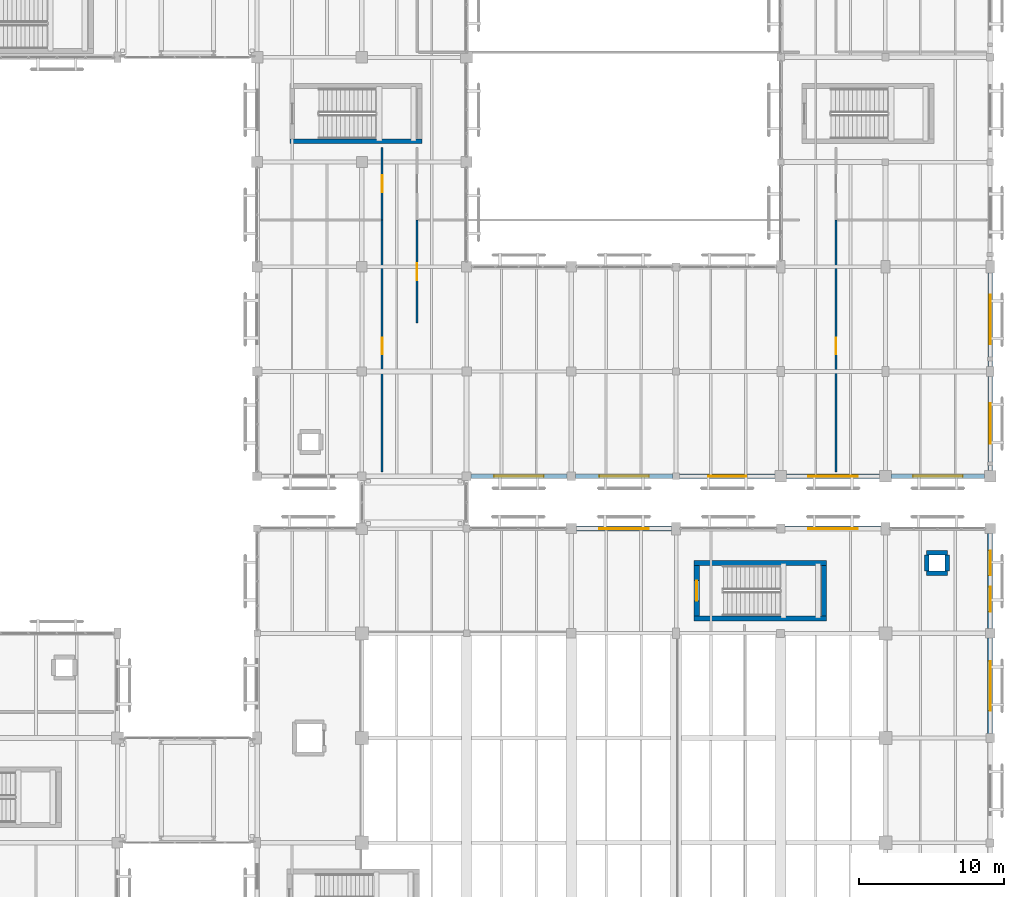
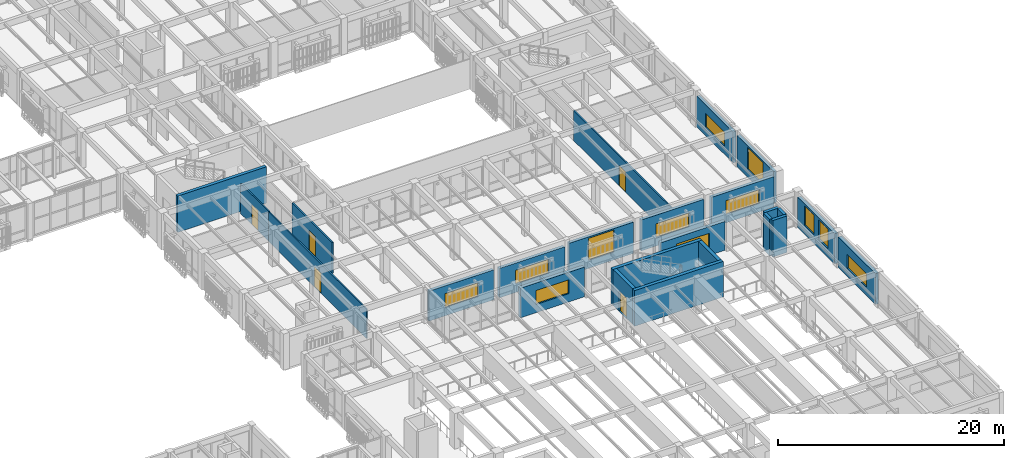
# One storey, part 138 of 170: 24 walls, 12 windows, 5 doors, 17 openings.
"""IFC4 building model written with IfcOpenShell, lengths in metres."""

from ifc_helpers import new_model, si_unit, direction, frame, frame_2d, origin, place, context, subcontext, project, spatial, rectangle, extrude, material, layer, layer_set, type_object, element, fill, save


model = new_model("IFC4")

# Units and contexts
model_context = context("Model", 3, precision=1e-05, world=origin(), true_north=direction((0.0, 1.0)))
body_context = subcontext(model_context, "Body", "Model", "MODEL_VIEW")
ifc_project = project(units=[si_unit("LENGTHUNIT", "METRE"), si_unit("AREAUNIT", "SQUARE_METRE"), si_unit("VOLUMEUNIT", "CUBIC_METRE"), si_unit("PLANEANGLEUNIT", "RADIAN"), si_unit("MASSUNIT", "GRAM", prefix="KILO")], contexts=[model_context])

# Site, building, storey
site_placement = place(None, origin())
site = spatial("IfcSite", under=ifc_project, at=site_placement, CompositionType="ELEMENT")
building_placement = place(site_placement, origin())
building = spatial("IfcBuilding", under=site, at=building_placement, Name="Mazaris Harbour Polytechnic", CompositionType="ELEMENT")
storey_placement = place(building_placement, frame((0.0, 0.0, 5.39990234375)))
storey = spatial("IfcBuildingStorey", under=building, at=storey_placement, Name="L01", CompositionType="ELEMENT", Elevation=5.39990234375)

# Wall, opening, window
ifc_material_1 = material(Name="Algerian Buff Limestone and Mineral Wool", Category="masonry")
ifc_layer_1 = layer(ifc_material_1, 0.31005859375, Name="Algerian Buff Limestone and Mineral Wool")
ifc_layer_set_1 = layer_set([ifc_layer_1], Name="Algerian Buff Limestone and Mineral Wool")
wall_type_1 = type_object("IfcWallType", Name="Limestone Studio Wall 310", PredefinedType="STANDARD", material=ifc_layer_set_1)
wall_1_placement = place(storey_placement, frame((143.7080078125, 46.800048828125, 0.0), z_axis=(0.0, 0.0, 1.0), x_axis=(-1.0, 0.0, 0.0)))
wall_1 = element("IfcWall", 1, at=wall_1_placement, inside=storey, type_object=wall_type_1, Name="V5 L01 Exterior Wall 312", PredefinedType="STANDARD", context=body_context, shape_type="SweptSolid", body=[
    extrude(rectangle(XDim=6.615966796875, YDim=0.31005859375, at=frame_2d((3.30810546875, 0.0))), origin(), (0.0, 0.0, 1.0), 3.239990234375),
])
opening_1_placement = place(wall_1_placement, frame((1.60791015625, 0.0, 0.89990234375)))
opening_1 = element("IfcOpeningElement", 2, at=opening_1_placement, cuts=wall_1, Name="Opening WN-16", PredefinedType="OPENING", context=body_context, shape_type="SweptSolid", body=[
    extrude(rectangle(XDim=3.39990234375, YDim=1.5, at=frame_2d((1.699951171875, 0.75))), frame((0.0, 0.1650390625, 0.0), z_axis=(0.0, -1.0, 0.0), x_axis=(1.0, 0.0, 0.0)), (0.0, 0.0, 1.0), 0.330078125),
])
ifc_material_2 = material(Name="Thermally Broken Bronze Aluminium and Low-E Glass", Category="aluminium")
window_type_1 = type_object("IfcWindowType", Name="Workshop Clerestory Ribbon 3400x1500", PartitioningType="DOUBLE_PANEL_VERTICAL", PredefinedType="WINDOW", material=ifc_material_2)
window_1_placement = place(opening_1_placement, origin())
window_1 = element("IfcWindow", 3, at=window_1_placement, inside=storey, type_object=window_type_1, Name="WN-0365", OverallHeight=1.5, OverallWidth=3.39990234375, PartitioningType="DOUBLE_PANEL_VERTICAL", PredefinedType="WINDOW", context=body_context, shape_type="SweptSolid", body=[
    extrude(rectangle(XDim=3.39990234375, YDim=1.5, at=frame_2d((1.699951171875, 0.75))), frame((0.0, 0.030029296875, 0.0), z_axis=(0.0, -1.0, 0.0), x_axis=(1.0, 0.0, 0.0)), (0.0, 0.0, 1.0), 0.06005859375),
])
fill(opening_1, window_1)

wall_2_placement = place(storey_placement, frame((150.98291015625, 46.800048828125, 0.0), z_axis=(0.0, 0.0, 1.0), x_axis=(-1.0, 0.0, 0.0)))
wall_2 = element("IfcWall", 4, at=wall_2_placement, inside=storey, type_object=wall_type_1, Name="V5 L01 Exterior Wall 313", PredefinedType="STANDARD", context=body_context, shape_type="SweptSolid", body=[
    extrude(rectangle(XDim=6.69091796875, YDim=0.31005859375, at=frame_2d((3.345458984375, 0.0))), origin(), (0.0, 0.0, 1.0), 3.18017578125),
])
opening_2_placement = place(wall_2_placement, frame((1.6455078125, 0.0, 0.89990234375)))
opening_2 = element("IfcOpeningElement", 5, at=opening_2_placement, cuts=wall_2, Name="Opening WN-16", PredefinedType="OPENING", context=body_context, shape_type="SweptSolid", body=[
    extrude(rectangle(XDim=3.39990234375, YDim=1.5, at=frame_2d((1.699951171875, 0.75))), frame((0.0, 0.1650390625, 0.0), z_axis=(0.0, -1.0, 0.0), x_axis=(1.0, 0.0, 0.0)), (0.0, 0.0, 1.0), 0.330078125),
])
window_2_placement = place(opening_2_placement, origin())
window_2 = element("IfcWindow", 6, at=window_2_placement, inside=storey, type_object=window_type_1, Name="WN-0366", OverallHeight=1.5, OverallWidth=3.39990234375, PartitioningType="DOUBLE_PANEL_VERTICAL", PredefinedType="WINDOW", context=body_context, shape_type="SweptSolid", body=[
    extrude(rectangle(XDim=3.39990234375, YDim=1.5, at=frame_2d((1.699951171875, 0.75))), frame((0.0, 0.030029296875, 0.0), z_axis=(0.0, -1.0, 0.0), x_axis=(1.0, 0.0, 0.0)), (0.0, 0.0, 1.0), 0.06005859375),
])
fill(opening_2, window_2)

wall_3_placement = place(storey_placement, frame((158.008056640625, 46.800048828125, 0.0), z_axis=(0.0, 0.0, 1.0), x_axis=(-1.0, 0.0, 0.0)))
wall_3 = element("IfcWall", 7, at=wall_3_placement, inside=storey, type_object=wall_type_1, Name="V5 L01 Exterior Wall 314", PredefinedType="STANDARD", context=body_context, shape_type="SweptSolid", body=[
    extrude(rectangle(XDim=6.591064453125, YDim=0.31005859375, at=frame_2d((3.29541015625, 0.0))), origin(), (0.0, 0.0, 1.0), 3.400146484375),
])
opening_3_placement = place(wall_3_placement, frame((1.99560546875, 0.0, 0.85009765625)))
opening_3 = element("IfcOpeningElement", 8, at=opening_3_placement, cuts=wall_3, Name="Opening WN-08", PredefinedType="OPENING", context=body_context, shape_type="SweptSolid", body=[
    extrude(rectangle(XDim=2.60009765625, YDim=2.39990234375, at=frame_2d((1.300048828125, 1.199951171875))), frame((0.0, 0.1650390625, 0.0), z_axis=(0.0, -1.0, 0.0), x_axis=(1.0, 0.0, 0.0)), (0.0, 0.0, 1.0), 0.330078125),
])
ifc_material_3 = material(Name="Thermally Broken Bronze Aluminium and Low-E Glass", Category="aluminium")
window_type_2 = type_object("IfcWindowType", Name="Studio North Window 2600x2400", PartitioningType="DOUBLE_PANEL_VERTICAL", PredefinedType="WINDOW", material=ifc_material_3)
window_3_placement = place(opening_3_placement, origin())
window_3 = element("IfcWindow", 9, at=window_3_placement, inside=storey, type_object=window_type_2, Name="WN-0367", OverallHeight=2.39990234375, OverallWidth=2.60009765625, PartitioningType="DOUBLE_PANEL_VERTICAL", PredefinedType="WINDOW", context=body_context, shape_type="SweptSolid", body=[
    extrude(rectangle(XDim=2.60009765625, YDim=2.39990234375, at=frame_2d((1.300048828125, 1.199951171875))), frame((0.0, 0.030029296875, 0.0), z_axis=(0.0, -1.0, 0.0), x_axis=(1.0, 0.0, 0.0)), (0.0, 0.0, 1.0), 0.06005859375),
])
fill(opening_3, window_3)

wall_4_placement = place(storey_placement, frame((165.2080078125, 46.800048828125, 0.0), z_axis=(0.0, 0.0, 1.0), x_axis=(-1.0, 0.0, 0.0)))
wall_4 = element("IfcWall", 10, at=wall_4_placement, inside=storey, type_object=wall_type_1, Name="V5 L01 Exterior Wall 315", PredefinedType="STANDARD", context=body_context, shape_type="SweptSolid", body=[
    extrude(rectangle(XDim=6.416015625, YDim=0.31005859375, at=frame_2d((3.2080078125, 0.0))), origin(), (0.0, 0.0, 1.0), 3.340087890625),
])
opening_4_placement = place(wall_4_placement, frame((1.508056640625, 0.0, 0.89990234375)))
opening_4 = element("IfcOpeningElement", 11, at=opening_4_placement, cuts=wall_4, Name="Opening WN-16", PredefinedType="OPENING", context=body_context, shape_type="SweptSolid", body=[
    extrude(rectangle(XDim=3.39990234375, YDim=1.5, at=frame_2d((1.699951171875, 0.75))), frame((0.0, 0.1650390625, 0.0), z_axis=(0.0, -1.0, 0.0), x_axis=(1.0, 0.0, 0.0)), (0.0, 0.0, 1.0), 0.330078125),
])
window_4_placement = place(opening_4_placement, origin())
window_4 = element("IfcWindow", 12, at=window_4_placement, inside=storey, type_object=window_type_1, Name="WN-0368", OverallHeight=1.5, OverallWidth=3.39990234375, PartitioningType="DOUBLE_PANEL_VERTICAL", PredefinedType="WINDOW", context=body_context, shape_type="SweptSolid", body=[
    extrude(rectangle(XDim=3.39990234375, YDim=1.5, at=frame_2d((1.699951171875, 0.75))), frame((0.0, 0.030029296875, 0.0), z_axis=(0.0, -1.0, 0.0), x_axis=(1.0, 0.0, 0.0)), (0.0, 0.0, 1.0), 0.06005859375),
])
fill(opening_4, window_4)

wall_5_placement = place(storey_placement, frame((172.407958984375, 46.800048828125, 0.0), z_axis=(0.0, 0.0, 1.0), x_axis=(-1.0, 0.0, 0.0)))
wall_5 = element("IfcWall", 13, at=wall_5_placement, inside=storey, type_object=wall_type_1, Name="V5 L01 Exterior Wall 316", PredefinedType="STANDARD", context=body_context, shape_type="SweptSolid", body=[
    extrude(rectangle(XDim=6.416015625, YDim=0.31005859375, at=frame_2d((3.2080078125, 0.0))), origin(), (0.0, 0.0, 1.0), 3.280029296875),
])
opening_5_placement = place(wall_5_placement, frame((1.508056640625, 0.0, 0.89990234375)))
opening_5 = element("IfcOpeningElement", 14, at=opening_5_placement, cuts=wall_5, Name="Opening WN-16", PredefinedType="OPENING", context=body_context, shape_type="SweptSolid", body=[
    extrude(rectangle(XDim=3.39990234375, YDim=1.5, at=frame_2d((1.699951171875, 0.75))), frame((0.0, 0.1650390625, 0.0), z_axis=(0.0, -1.0, 0.0), x_axis=(1.0, 0.0, 0.0)), (0.0, 0.0, 1.0), 0.330078125),
])
window_5_placement = place(opening_5_placement, origin())
window_5 = element("IfcWindow", 15, at=window_5_placement, inside=storey, type_object=window_type_1, Name="WN-0369", OverallHeight=1.5, OverallWidth=3.39990234375, PartitioningType="DOUBLE_PANEL_VERTICAL", PredefinedType="WINDOW", context=body_context, shape_type="SweptSolid", body=[
    extrude(rectangle(XDim=3.39990234375, YDim=1.5, at=frame_2d((1.699951171875, 0.75))), frame((0.0, 0.030029296875, 0.0), z_axis=(0.0, -1.0, 0.0), x_axis=(1.0, 0.0, 0.0)), (0.0, 0.0, 1.0), 0.06005859375),
])
fill(opening_5, window_5)

wall_6_placement = place(storey_placement, frame((172.800048828125, 53.657958984375, 0.0), z_axis=(0.0, 0.0, 1.0), x_axis=(0.0, -1.0, 0.0)))
wall_6 = element("IfcWall", 16, at=wall_6_placement, inside=storey, type_object=wall_type_1, Name="V5 L01 Exterior Wall 324", PredefinedType="STANDARD", context=body_context, shape_type="SweptSolid", body=[
    extrude(rectangle(XDim=6.466064453125, YDim=0.31005859375, at=frame_2d((3.23291015625, 0.0))), origin(), (0.0, 0.0, 1.0), 3.400146484375),
])
opening_6_placement = place(wall_6_placement, frame((1.8330078125, 0.0, 0.85009765625)))
opening_6 = element("IfcOpeningElement", 17, at=opening_6_placement, cuts=wall_6, Name="Opening WN-09", PredefinedType="OPENING", context=body_context, shape_type="SweptSolid", body=[
    extrude(rectangle(XDim=2.800048828125, YDim=2.39990234375, at=frame_2d((1.39990234375, 1.199951171875))), frame((0.0, 0.1650390625, 0.0), z_axis=(0.0, -1.0, 0.0), x_axis=(1.0, 0.0, 0.0)), (0.0, 0.0, 1.0), 0.330078125),
])
ifc_material_4 = material(Name="Thermally Broken Bronze Aluminium and Low-E Glass", Category="aluminium")
window_type_3 = type_object("IfcWindowType", Name="Studio North Window 2800x2400", PartitioningType="DOUBLE_PANEL_VERTICAL", PredefinedType="WINDOW", material=ifc_material_4)
window_6_placement = place(opening_6_placement, origin())
window_6 = element("IfcWindow", 18, at=window_6_placement, inside=storey, type_object=window_type_3, Name="WN-0376", OverallHeight=2.39990234375, OverallWidth=2.800048828125, PartitioningType="DOUBLE_PANEL_VERTICAL", PredefinedType="WINDOW", context=body_context, shape_type="SweptSolid", body=[
    extrude(rectangle(XDim=2.800048828125, YDim=2.39990234375, at=frame_2d((1.39990234375, 1.199951171875))), frame((0.0, 0.030029296875, 0.0), z_axis=(0.0, -1.0, 0.0), x_axis=(1.0, 0.0, 0.0)), (0.0, 0.0, 1.0), 0.06005859375),
])
fill(opening_6, window_6)

wall_7_placement = place(storey_placement, frame((172.800048828125, 60.782958984375, 0.0), z_axis=(0.0, 0.0, 1.0), x_axis=(0.0, -1.0, 0.0)))
wall_7 = element("IfcWall", 19, at=wall_7_placement, inside=storey, type_object=wall_type_1, Name="V5 L01 Exterior Wall 325", PredefinedType="STANDARD", context=body_context, shape_type="SweptSolid", body=[
    extrude(rectangle(XDim=6.44091796875, YDim=0.31005859375, at=frame_2d((3.220458984375, 0.0))), origin(), (0.0, 0.0, 1.0), 3.340087890625),
])
opening_7_placement = place(wall_7_placement, frame((1.5205078125, 0.0, 0.89990234375)))
opening_7 = element("IfcOpeningElement", 20, at=opening_7_placement, cuts=wall_7, Name="Opening WN-16", PredefinedType="OPENING", context=body_context, shape_type="SweptSolid", body=[
    extrude(rectangle(XDim=3.39990234375, YDim=1.5, at=frame_2d((1.699951171875, 0.75))), frame((0.0, 0.1650390625, 0.0), z_axis=(0.0, -1.0, 0.0), x_axis=(1.0, 0.0, 0.0)), (0.0, 0.0, 1.0), 0.330078125),
])
window_7_placement = place(opening_7_placement, origin())
window_7 = element("IfcWindow", 21, at=window_7_placement, inside=storey, type_object=window_type_1, Name="WN-0377", OverallHeight=1.5, OverallWidth=3.39990234375, PartitioningType="DOUBLE_PANEL_VERTICAL", PredefinedType="WINDOW", context=body_context, shape_type="SweptSolid", body=[
    extrude(rectangle(XDim=3.39990234375, YDim=1.5, at=frame_2d((1.699951171875, 0.75))), frame((0.0, 0.030029296875, 0.0), z_axis=(0.0, -1.0, 0.0), x_axis=(1.0, 0.0, 0.0)), (0.0, 0.0, 1.0), 0.06005859375),
])
fill(opening_7, window_7)

ifc_material_5 = material(Name="Algerian Buff Limestone and Concrete C30/37", Category="masonry")
ifc_layer_2 = layer(ifc_material_5, 0.344970703125, Name="Algerian Buff Limestone and Concrete C30/37")
ifc_layer_set_2 = layer_set([ifc_layer_2], Name="Algerian Buff Limestone and Concrete C30/37")
wall_type_2 = type_object("IfcWallType", Name="Pavilion Gable Wall 345", PredefinedType="STANDARD", material=ifc_layer_set_2)
wall_8_placement = place(storey_placement, frame((144.342041015625, 43.199951171875, 0.0), z_axis=(0.0, 0.0, 1.0), x_axis=(1.0, 0.0, 0.0)))
wall_8 = element("IfcWall", 22, at=wall_8_placement, inside=storey, type_object=wall_type_2, Name="V2 L01 Exterior Wall 58", PredefinedType="STANDARD", context=body_context, shape_type="SweptSolid", body=[
    extrude(rectangle(XDim=6.56591796875, YDim=0.344970703125, at=frame_2d((3.282958984375, 0.0))), origin(), (0.0, 0.0, 1.0), 3.210205078125),
])
opening_8_placement = place(wall_8_placement, frame((1.5830078125, 0.0, 0.89990234375)))
opening_8 = element("IfcOpeningElement", 23, at=opening_8_placement, cuts=wall_8, Name="Opening WN-16", PredefinedType="OPENING", context=body_context, shape_type="SweptSolid", body=[
    extrude(rectangle(XDim=3.39990234375, YDim=1.5, at=frame_2d((1.699951171875, 0.75))), frame((0.0, 0.182373046875, 0.0), z_axis=(0.0, -1.0, 0.0), x_axis=(1.0, 0.0, 0.0)), (0.0, 0.0, 1.0), 0.364990234375),
])
window_8_placement = place(opening_8_placement, origin())
window_8 = element("IfcWindow", 24, at=window_8_placement, inside=storey, type_object=window_type_1, Name="WN-0048", OverallHeight=1.5, OverallWidth=3.39990234375, PartitioningType="DOUBLE_PANEL_VERTICAL", PredefinedType="WINDOW", context=body_context, shape_type="SweptSolid", body=[
    extrude(rectangle(XDim=3.39990234375, YDim=1.5, at=frame_2d((1.699951171875, 0.75))), frame((0.0, 0.030029296875, 0.0), z_axis=(0.0, -1.0, 0.0), x_axis=(1.0, 0.0, 0.0)), (0.0, 0.0, 1.0), 0.06005859375),
])
fill(opening_8, window_8)

wall_9_placement = place(storey_placement, frame((158.69189453125, 43.199951171875, 0.0), z_axis=(0.0, 0.0, 1.0), x_axis=(1.0, 0.0, 0.0)))
wall_9 = element("IfcWall", 25, at=wall_9_placement, inside=storey, type_object=wall_type_2, Name="V2 L01 Exterior Wall 59", PredefinedType="STANDARD", context=body_context, shape_type="SweptSolid", body=[
    extrude(rectangle(XDim=6.6162109375, YDim=0.344970703125, at=frame_2d((3.30810546875, 0.0))), origin(), (0.0, 0.0, 1.0), 3.110107421875),
])
opening_9_placement = place(wall_9_placement, frame((1.60791015625, 0.0, 0.89990234375)))
opening_9 = element("IfcOpeningElement", 26, at=opening_9_placement, cuts=wall_9, Name="Opening WN-16", PredefinedType="OPENING", context=body_context, shape_type="SweptSolid", body=[
    extrude(rectangle(XDim=3.39990234375, YDim=1.5, at=frame_2d((1.699951171875, 0.75))), frame((0.0, 0.182373046875, 0.0), z_axis=(0.0, -1.0, 0.0), x_axis=(1.0, 0.0, 0.0)), (0.0, 0.0, 1.0), 0.364990234375),
])
window_9_placement = place(opening_9_placement, origin())
window_9 = element("IfcWindow", 27, at=window_9_placement, inside=storey, type_object=window_type_1, Name="WN-0049", OverallHeight=1.5, OverallWidth=3.39990234375, PartitioningType="DOUBLE_PANEL_VERTICAL", PredefinedType="WINDOW", context=body_context, shape_type="SweptSolid", body=[
    extrude(rectangle(XDim=3.39990234375, YDim=1.5, at=frame_2d((1.699951171875, 0.75))), frame((0.0, 0.030029296875, 0.0), z_axis=(0.0, -1.0, 0.0), x_axis=(1.0, 0.0, 0.0)), (0.0, 0.0, 1.0), 0.06005859375),
])
fill(opening_9, window_9)

wall_10_placement = place(storey_placement, frame((172.800048828125, 35.68310546875, 0.0), z_axis=(0.0, 0.0, 1.0), x_axis=(0.0, -1.0, 0.0)))
wall_10 = element("IfcWall", 28, at=wall_10_placement, inside=storey, type_object=wall_type_2, Name="V2 L01 Exterior Wall 65", PredefinedType="STANDARD", context=body_context, shape_type="SweptSolid", body=[
    extrude(rectangle(XDim=6.591064453125, YDim=0.344970703125, at=frame_2d((3.29541015625, 0.0))), origin(), (0.0, 0.0, 1.0), 3.330078125),
])
opening_10_placement = place(wall_10_placement, frame((1.595458984375, 0.0, 0.89990234375)))
opening_10 = element("IfcOpeningElement", 29, at=opening_10_placement, cuts=wall_10, Name="Opening WN-16", PredefinedType="OPENING", context=body_context, shape_type="SweptSolid", body=[
    extrude(rectangle(XDim=3.39990234375, YDim=1.5, at=frame_2d((1.699951171875, 0.75))), frame((0.0, 0.182373046875, 0.0), z_axis=(0.0, -1.0, 0.0), x_axis=(1.0, 0.0, 0.0)), (0.0, 0.0, 1.0), 0.364990234375),
])
window_10_placement = place(opening_10_placement, origin())
window_10 = element("IfcWindow", 30, at=window_10_placement, inside=storey, type_object=window_type_1, Name="WN-0056", OverallHeight=1.5, OverallWidth=3.39990234375, PartitioningType="DOUBLE_PANEL_VERTICAL", PredefinedType="WINDOW", context=body_context, shape_type="SweptSolid", body=[
    extrude(rectangle(XDim=3.39990234375, YDim=1.5, at=frame_2d((1.699951171875, 0.75))), frame((0.0, 0.030029296875, 0.0), z_axis=(0.0, -1.0, 0.0), x_axis=(1.0, 0.0, 0.0)), (0.0, 0.0, 1.0), 0.06005859375),
])
fill(opening_10, window_10)

# Wall, openings, windows
wall_11_placement = place(storey_placement, frame((172.800048828125, 42.85791015625, 0.0), z_axis=(0.0, 0.0, 1.0), x_axis=(0.0, -1.0, 0.0)))
wall_11 = element("IfcWall", 31, at=wall_11_placement, inside=storey, type_object=wall_type_2, Name="V2 L01 Exterior Wall 66", PredefinedType="STANDARD", context=body_context, shape_type="SweptSolid", body=[
    extrude(rectangle(XDim=6.541015625, YDim=0.344970703125, at=frame_2d((3.2705078125, 0.0))), origin(), (0.0, 0.0, 1.0), 3.27001953125),
])
opening_11_placement = place(wall_11_placement, frame((1.17041015625, 0.0, 0.949951171875)))
opening_11 = element("IfcOpeningElement", 32, at=opening_11_placement, cuts=wall_11, Name="Opening WN-11", PredefinedType="OPENING", context=body_context, shape_type="SweptSolid", body=[
    extrude(rectangle(XDim=1.699951171875, YDim=2.10009765625, at=frame_2d((0.85009765625, 1.050048828125))), frame((0.0, 0.182373046875, 0.0), z_axis=(0.0, -1.0, 0.0), x_axis=(1.0, 0.0, 0.0)), (0.0, 0.0, 1.0), 0.364990234375),
])
opening_12_placement = place(wall_11_placement, frame((3.67041015625, 0.0, 0.949951171875)))
opening_12 = element("IfcOpeningElement", 33, at=opening_12_placement, cuts=wall_11, Name="Opening WN-11", PredefinedType="OPENING", context=body_context, shape_type="SweptSolid", body=[
    extrude(rectangle(XDim=1.699951171875, YDim=2.10009765625, at=frame_2d((0.85009765625, 1.050048828125))), frame((0.0, 0.182373046875, 0.0), z_axis=(0.0, -1.0, 0.0), x_axis=(1.0, 0.0, 0.0)), (0.0, 0.0, 1.0), 0.364990234375),
])
ifc_material_6 = material(Name="Thermally Broken Bronze Aluminium and Low-E Glass", Category="aluminium")
window_type_4 = type_object("IfcWindowType", Name="Seminar Casement Window 1700x2100", PartitioningType="DOUBLE_PANEL_VERTICAL", PredefinedType="WINDOW", material=ifc_material_6)
window_11_placement = place(opening_11_placement, origin())
window_11 = element("IfcWindow", 34, at=window_11_placement, inside=storey, type_object=window_type_4, Name="WN-0057", OverallHeight=2.10009765625, OverallWidth=1.699951171875, PartitioningType="DOUBLE_PANEL_VERTICAL", PredefinedType="WINDOW", context=body_context, shape_type="SweptSolid", body=[
    extrude(rectangle(XDim=1.699951171875, YDim=2.10009765625, at=frame_2d((0.85009765625, 1.050048828125))), frame((0.0, 0.030029296875, 0.0), z_axis=(0.0, -1.0, 0.0), x_axis=(1.0, 0.0, 0.0)), (0.0, 0.0, 1.0), 0.06005859375),
])
fill(opening_11, window_11)
window_12_placement = place(opening_12_placement, origin())
window_12 = element("IfcWindow", 35, at=window_12_placement, inside=storey, type_object=window_type_4, Name="WN-0058", OverallHeight=2.10009765625, OverallWidth=1.699951171875, PartitioningType="DOUBLE_PANEL_VERTICAL", PredefinedType="WINDOW", context=body_context, shape_type="SweptSolid", body=[
    extrude(rectangle(XDim=1.699951171875, YDim=2.10009765625, at=frame_2d((0.85009765625, 1.050048828125))), frame((0.0, 0.030029296875, 0.0), z_axis=(0.0, -1.0, 0.0), x_axis=(1.0, 0.0, 0.0)), (0.0, 0.0, 1.0), 0.06005859375),
])
fill(opening_12, window_12)

# Walls
ifc_material_7 = material(Name="Concrete C40/50", Category="concrete")
ifc_layer_3 = layer(ifc_material_7, 0.324951171875, Name="Concrete C40/50")
ifc_layer_set_3 = layer_set([ifc_layer_3], Name="Concrete C40/50")
wall_type_3 = type_object("IfcWallType", Name="RC Core Shear Wall 325", PredefinedType="SHEAR", material=ifc_layer_set_3)
wall_12_placement = place(storey_placement, frame((124.64990234375, 69.824951171875, 0.0), z_axis=(0.0, 0.0, 1.0), x_axis=(1.0, 0.0, 0.0)))
element("IfcWall", 36, at=wall_12_placement, inside=storey, type_object=wall_type_3, Name="Core ST09 L01 Shear Wall S", PredefinedType="SHEAR", context=body_context, shape_type="SweptSolid", body=[
    extrude(rectangle(XDim=9.10009765625, YDim=0.324951171875, at=frame_2d((4.550048828125, 0.0))), origin(), (0.0, 0.0, 1.0), 3.920166015625),
])
ifc_material_8 = material(Name="Concrete C40/50", Category="concrete")
ifc_layer_4 = layer(ifc_material_8, 0.35009765625, Name="Concrete C40/50")
ifc_layer_set_4 = layer_set([ifc_layer_4], Name="Concrete C40/50")
wall_type_4 = type_object("IfcWallType", Name="RC Core Shear Wall 350", PredefinedType="SHEAR", material=ifc_layer_set_4)
for number, where, z_axis, x_axis, name in (
    (37, (152.449951171875, 37.02490234375, 0.0), (0.0, 0.0, 1.0), (1.0, 0.0, 0.0), "Core ST04 L01 Shear Wall S"),
    (38, (161.550048828125, 40.824951171875, 0.0), (0.0, 0.0, 1.0), (-1.0, 0.0, 0.0), "Core ST04 L01 Shear Wall N"),
):
    element("IfcWall", number, at=place(storey_placement, frame(where, z_axis=z_axis, x_axis=x_axis)), inside=storey, type_object=wall_type_4, Name=name, PredefinedType="SHEAR", context=body_context, shape_type="SweptSolid", body=[
        extrude(rectangle(XDim=9.10009765625, YDim=0.35009765625, at=frame_2d((4.550048828125, 0.0))), origin(), (0.0, 0.0, 1.0), 3.85009765625),
    ])
wall_13_placement = place(storey_placement, frame((161.375, 37.199951171875, 0.0), z_axis=(0.0, 0.0, 1.0), x_axis=(0.0, 1.0, 0.0)))
element("IfcWall", 39, at=wall_13_placement, inside=storey, type_object=wall_type_4, Name="Core ST04 L01 Shear Wall E", PredefinedType="SHEAR", context=body_context, shape_type="SweptSolid", body=[
    extrude(rectangle(XDim=3.449951171875, YDim=0.35009765625, at=frame_2d((1.72509765625, 0.0))), origin(), (0.0, 0.0, 1.0), 3.85009765625),
])

# Wall, opening, door
wall_14_placement = place(storey_placement, frame((152.625, 40.64990234375, 0.0), z_axis=(0.0, 0.0, 1.0), x_axis=(0.0, -1.0, 0.0)))
wall_14 = element("IfcWall", 40, at=wall_14_placement, inside=storey, type_object=wall_type_4, Name="Core ST04 L01 Entrance Shear Wall", PredefinedType="SHEAR", context=body_context, shape_type="SweptSolid", body=[
    extrude(rectangle(XDim=3.449951171875, YDim=0.35009765625, at=frame_2d((1.72509765625, 0.0))), origin(), (0.0, 0.0, 1.0), 3.85009765625),
])
opening_13_placement = place(wall_14_placement, frame((1.034912109375, 0.0, 0.0)))
opening_13 = element("IfcOpeningElement", 41, at=opening_13_placement, cuts=wall_14, Name="Opening SD-01", PredefinedType="OPENING", context=body_context, shape_type="SweptSolid", body=[
    extrude(rectangle(XDim=1.3798828125, YDim=2.199951171875, at=frame_2d((0.68994140625, 1.10009765625))), frame((0.0, 0.18505859375, 0.0), z_axis=(0.0, -1.0, 0.0), x_axis=(1.0, 0.0, 0.0)), (0.0, 0.0, 1.0), 0.3701171875),
])
ifc_material_9 = material(Name="Glulam Timber and Fire Glass", Category="wood")
door_type_1 = type_object("IfcDoorType", Name="Protected Stair Lobby Fire Door 1380x2200", OperationType="DOUBLE_DOOR_SINGLE_SWING", PredefinedType="DOOR", material=ifc_material_9)
door_1_placement = place(opening_13_placement, origin())
door_1 = element("IfcDoor", 42, at=door_1_placement, inside=storey, type_object=door_type_1, Name="SD-016", OperationType="DOUBLE_DOOR_SINGLE_SWING", OverallHeight=2.199951171875, OverallWidth=1.3798828125, PredefinedType="DOOR", context=body_context, shape_type="SweptSolid", body=[
    extrude(rectangle(XDim=1.3798828125, YDim=2.199951171875, at=frame_2d((0.68994140625, 1.10009765625))), frame((0.0, 0.02490234375, 0.0), z_axis=(0.0, -1.0, 0.0), x_axis=(1.0, 0.0, 0.0)), (0.0, 0.0, 1.0), 0.050048828125),
])
fill(opening_13, door_1)

# Walls
ifc_material_10 = material(Name="Concrete C40/50", Category="concrete")
ifc_layer_5 = layer(ifc_material_10, 0.300048828125, Name="Concrete C40/50")
ifc_layer_set_5 = layer_set([ifc_layer_5], Name="Concrete C40/50")
wall_type_5 = type_object("IfcWallType", Name="RC Lift Shaft Wall 300", PredefinedType="SHEAR", material=ifc_layer_set_5)
wall_15_placement = place(storey_placement, frame((168.429931640625, 40.1298828125, 0.0), z_axis=(0.0, 0.0, 1.0), x_axis=(1.0, 0.0, 0.0)))
element("IfcWall", 43, at=wall_15_placement, inside=storey, type_object=wall_type_5, Name="V2 L01 Riser Enclosure Wall 2-1", PredefinedType="SHEAR", context=body_context, shape_type="SweptSolid", body=[
    extrude(rectangle(XDim=1.420166015625, YDim=0.300048828125, at=frame_2d((0.7099609375, 0.0))), origin(), (0.0, 0.0, 1.0), 3.960205078125),
])
wall_16_placement = place(storey_placement, frame((169.85009765625, 40.2900390625, 0.0), z_axis=(0.0, 0.0, 1.0), x_axis=(0.0, 1.0, 0.0)))
element("IfcWall", 44, at=wall_16_placement, inside=storey, type_object=wall_type_5, Name="V2 L01 Riser Enclosure Wall 2-2", PredefinedType="SHEAR", context=body_context, shape_type="SweptSolid", body=[
    extrude(rectangle(XDim=1.099853515625, YDim=0.300048828125, at=frame_2d((0.5498046875, 0.0))), origin(), (0.0, 0.0, 1.0), 3.960205078125),
])
wall_17_placement = place(storey_placement, frame((169.85009765625, 41.550048828125, 0.0), z_axis=(0.0, 0.0, 1.0), x_axis=(-1.0, 0.0, 0.0)))
element("IfcWall", 45, at=wall_17_placement, inside=storey, type_object=wall_type_5, Name="V2 L01 Riser Enclosure Wall 2-3", PredefinedType="SHEAR", context=body_context, shape_type="SweptSolid", body=[
    extrude(rectangle(XDim=1.420166015625, YDim=0.300048828125, at=frame_2d((0.7099609375, 0.0))), origin(), (0.0, 0.0, 1.0), 3.960205078125),
])
wall_18_placement = place(storey_placement, frame((168.429931640625, 41.389892578125, 0.0), z_axis=(0.0, 0.0, 1.0), x_axis=(0.0, -1.0, 0.0)))
element("IfcWall", 46, at=wall_18_placement, inside=storey, type_object=wall_type_5, Name="V2 L01 Riser Enclosure Wall 2-4", PredefinedType="SHEAR", context=body_context, shape_type="SweptSolid", body=[
    extrude(rectangle(XDim=1.099853515625, YDim=0.300048828125, at=frame_2d((0.5498046875, 0.0))), origin(), (0.0, 0.0, 1.0), 3.960205078125),
])

# Wall, opening, door
ifc_material_11 = material(Name="Gypsum Board and Mineral Wool")
ifc_layer_6 = layer(ifc_material_11, 0.135009765625, Name="Gypsum Board and Mineral Wool")
ifc_layer_set_6 = layer_set([ifc_layer_6], Name="Gypsum Board and Mineral Wool")
wall_type_6 = type_object("IfcWallType", Name="Studio Partition Wall 135", PredefinedType="PARTITIONING", material=ifc_layer_set_6)
wall_19_placement = place(storey_placement, frame((131.0, 47.10009765625, 0.0), z_axis=(0.0, 0.0, 1.0), x_axis=(0.0, 1.0, 0.0)))
wall_19 = element("IfcWall", 47, at=wall_19_placement, inside=storey, type_object=wall_type_6, Name="V5 L01 Partition 579", PredefinedType="PARTITIONING", context=body_context, shape_type="SweptSolid", body=[
    extrude(rectangle(XDim=17.31396484375, YDim=0.135009765625, at=frame_2d((8.656982421875, 0.0))), origin(), (0.0, 0.0, 1.0), 3.18017578125),
])
opening_14_placement = place(wall_19_placement, frame((8.076904296875, 0.0, 0.0)))
opening_14 = element("IfcOpeningElement", 48, at=opening_14_placement, cuts=wall_19, Name="Opening ID-03R", PredefinedType="OPENING", context=body_context, shape_type="SweptSolid", body=[
    extrude(rectangle(XDim=1.159912109375, YDim=2.199951171875, at=frame_2d((0.580078125, 1.10009765625))), frame((0.0, 0.077392578125, 0.0), z_axis=(0.0, -1.0, 0.0), x_axis=(1.0, 0.0, 0.0)), (0.0, 0.0, 1.0), 0.155029296875),
])
ifc_material_12 = material(Name="Glulam Timber and Acoustic Glass", Category="wood")
door_type_2 = type_object("IfcDoorType", Name="Design Studio Door RH 1160x2200", OperationType="SINGLE_SWING_RIGHT", PredefinedType="DOOR", material=ifc_material_12)
door_2_placement = place(opening_14_placement, origin())
door_2 = element("IfcDoor", 49, at=door_2_placement, inside=storey, type_object=door_type_2, Name="ID-0279", OperationType="SINGLE_SWING_RIGHT", OverallHeight=2.199951171875, OverallWidth=1.159912109375, PredefinedType="DOOR", context=body_context, shape_type="SweptSolid", body=[
    extrude(rectangle(XDim=1.159912109375, YDim=2.199951171875, at=frame_2d((0.580078125, 1.10009765625))), frame((0.0, 0.02490234375, 0.0), z_axis=(0.0, -1.0, 0.0), x_axis=(1.0, 0.0, 0.0)), (0.0, 0.0, 1.0), 0.050048828125),
])
fill(opening_14, door_2)

wall_20_placement = place(storey_placement, frame((131.0, 64.4189453125, 0.0), z_axis=(0.0, 0.0, 1.0), x_axis=(0.0, 1.0, 0.0)))
wall_20 = element("IfcWall", 50, at=wall_20_placement, inside=storey, type_object=wall_type_6, Name="V5 L01 Partition 581", PredefinedType="PARTITIONING", context=body_context, shape_type="SweptSolid", body=[
    extrude(rectangle(XDim=4.97607421875, YDim=0.135009765625, at=frame_2d((2.488037109375, 0.0))), origin(), (0.0, 0.0, 1.0), 3.239990234375),
])
opening_15_placement = place(wall_20_placement, frame((1.9130859375, 0.0, 0.0)))
opening_15 = element("IfcOpeningElement", 51, at=opening_15_placement, cuts=wall_20, Name="Opening ID-03L", PredefinedType="OPENING", context=body_context, shape_type="SweptSolid", body=[
    extrude(rectangle(XDim=1.14990234375, YDim=2.199951171875, at=frame_2d((0.574951171875, 1.10009765625))), frame((0.0, 0.077392578125, 0.0), z_axis=(0.0, -1.0, 0.0), x_axis=(1.0, 0.0, 0.0)), (0.0, 0.0, 1.0), 0.155029296875),
])
ifc_material_13 = material(Name="Glulam Timber and Acoustic Glass", Category="wood")
door_type_3 = type_object("IfcDoorType", Name="Design Studio Door LH 1150x2200", OperationType="SINGLE_SWING_LEFT", PredefinedType="DOOR", material=ifc_material_13)
door_3_placement = place(opening_15_placement, origin())
door_3 = element("IfcDoor", 52, at=door_3_placement, inside=storey, type_object=door_type_3, Name="ID-0280", OperationType="SINGLE_SWING_LEFT", OverallHeight=2.199951171875, OverallWidth=1.14990234375, PredefinedType="DOOR", context=body_context, shape_type="SweptSolid", body=[
    extrude(rectangle(XDim=1.14990234375, YDim=2.199951171875, at=frame_2d((0.574951171875, 1.10009765625))), frame((0.0, 0.02490234375, 0.0), z_axis=(0.0, -1.0, 0.0), x_axis=(1.0, 0.0, 0.0)), (0.0, 0.0, 1.0), 0.050048828125),
])
fill(opening_15, door_3)

wall_21_placement = place(storey_placement, frame((133.39990234375, 57.320068359375, 0.0), z_axis=(0.0, 0.0, 1.0), x_axis=(0.0, 1.0, 0.0)))
wall_21 = element("IfcWall", 53, at=wall_21_placement, inside=storey, type_object=wall_type_6, Name="V5 L01 Partition 585", PredefinedType="PARTITIONING", context=body_context, shape_type="SweptSolid", body=[
    extrude(rectangle(XDim=7.093994140625, YDim=0.135009765625, at=frame_2d((3.546875, 0.0))), origin(), (0.0, 0.0, 1.0), 3.340087890625),
])
opening_16_placement = place(wall_21_placement, frame((2.967041015625, 0.0, 0.0)))
opening_16 = element("IfcOpeningElement", 54, at=opening_16_placement, cuts=wall_21, Name="Opening ID-03R", PredefinedType="OPENING", context=body_context, shape_type="SweptSolid", body=[
    extrude(rectangle(XDim=1.159912109375, YDim=2.199951171875, at=frame_2d((0.580078125, 1.10009765625))), frame((0.0, 0.077392578125, 0.0), z_axis=(0.0, -1.0, 0.0), x_axis=(1.0, 0.0, 0.0)), (0.0, 0.0, 1.0), 0.155029296875),
])
door_4_placement = place(opening_16_placement, origin())
door_4 = element("IfcDoor", 55, at=door_4_placement, inside=storey, type_object=door_type_2, Name="ID-0283", OperationType="SINGLE_SWING_RIGHT", OverallHeight=2.199951171875, OverallWidth=1.159912109375, PredefinedType="DOOR", context=body_context, shape_type="SweptSolid", body=[
    extrude(rectangle(XDim=1.159912109375, YDim=2.199951171875, at=frame_2d((0.580078125, 1.10009765625))), frame((0.0, 0.02490234375, 0.0), z_axis=(0.0, -1.0, 0.0), x_axis=(1.0, 0.0, 0.0)), (0.0, 0.0, 1.0), 0.050048828125),
])
fill(opening_16, door_4)

wall_22_placement = place(storey_placement, frame((162.199951171875, 47.10009765625, 0.0), z_axis=(0.0, 0.0, 1.0), x_axis=(0.0, 1.0, 0.0)))
wall_22 = element("IfcWall", 56, at=wall_22_placement, inside=storey, type_object=wall_type_6, Name="V5 L01 Partition 593", PredefinedType="PARTITIONING", context=body_context, shape_type="SweptSolid", body=[
    extrude(rectangle(XDim=17.31396484375, YDim=0.135009765625, at=frame_2d((8.656982421875, 0.0))), origin(), (0.0, 0.0, 1.0), 3.239990234375),
])
opening_17_placement = place(wall_22_placement, frame((8.076904296875, 0.0, 0.0)))
opening_17 = element("IfcOpeningElement", 57, at=opening_17_placement, cuts=wall_22, Name="Opening ID-03R", PredefinedType="OPENING", context=body_context, shape_type="SweptSolid", body=[
    extrude(rectangle(XDim=1.159912109375, YDim=2.199951171875, at=frame_2d((0.580078125, 1.10009765625))), frame((0.0, 0.077392578125, 0.0), z_axis=(0.0, -1.0, 0.0), x_axis=(1.0, 0.0, 0.0)), (0.0, 0.0, 1.0), 0.155029296875),
])
door_5_placement = place(opening_17_placement, origin())
door_5 = element("IfcDoor", 58, at=door_5_placement, inside=storey, type_object=door_type_2, Name="ID-0287", OperationType="SINGLE_SWING_RIGHT", OverallHeight=2.199951171875, OverallWidth=1.159912109375, PredefinedType="DOOR", context=body_context, shape_type="SweptSolid", body=[
    extrude(rectangle(XDim=1.159912109375, YDim=2.199951171875, at=frame_2d((0.580078125, 1.10009765625))), frame((0.0, 0.02490234375, 0.0), z_axis=(0.0, -1.0, 0.0), x_axis=(1.0, 0.0, 0.0)), (0.0, 0.0, 1.0), 0.050048828125),
])
fill(opening_17, door_5)

save(model, "model.ifc")
